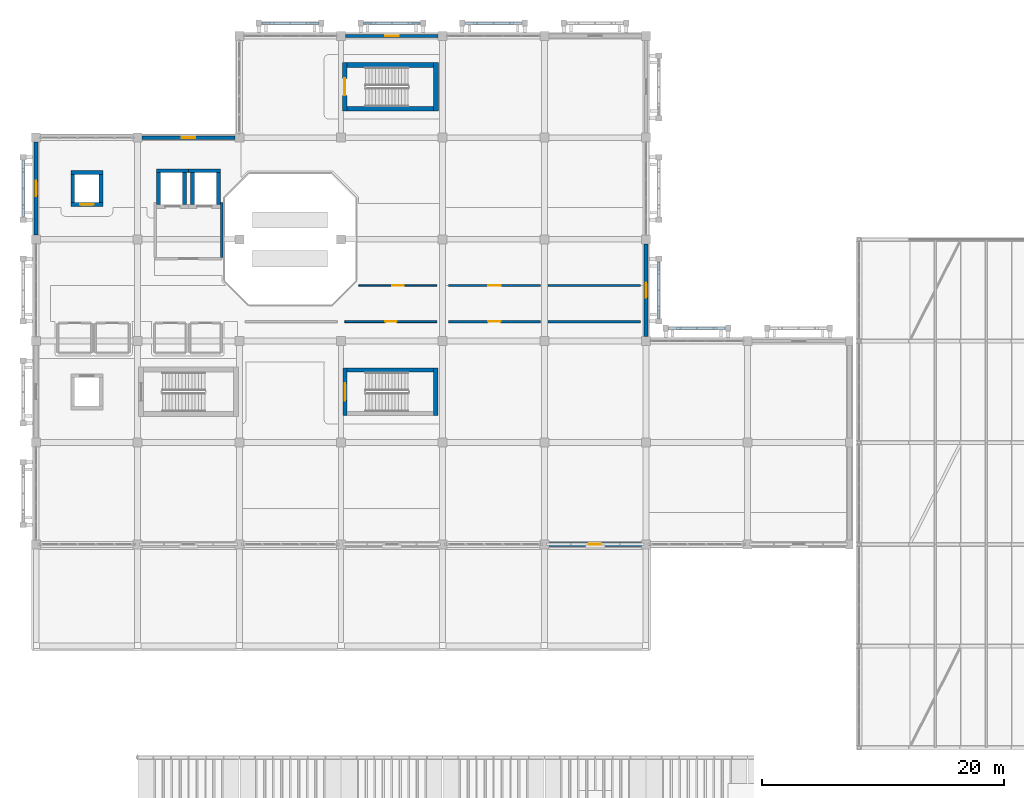
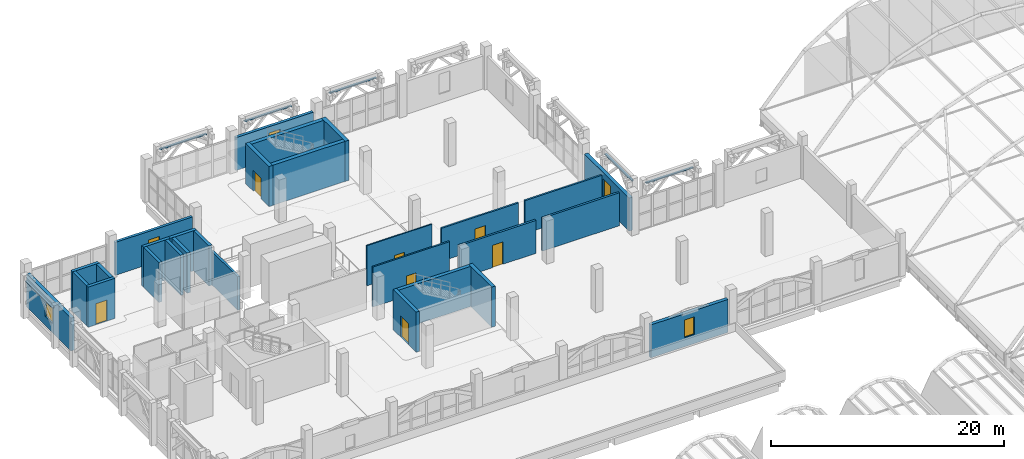
# One storey, part 104 of 114: 35 walls, 7 doors, 5 windows, 12 openings.
"""IFC4 building model written with IfcOpenShell, lengths in metres."""

from ifc_helpers import new_model, si_unit, direction, frame, frame_2d, origin, place, context, subcontext, project, spatial, rectangle, extrude, material, layer, layer_set, type_object, element, fill, save


model = new_model("IFC4")

# Units and contexts
model_context = context("Model", 3, precision=1e-05, world=origin(), true_north=direction((0.0, 1.0)))
body_context = subcontext(model_context, "Body", "Model", "MODEL_VIEW")
ifc_project = project(units=[si_unit("LENGTHUNIT", "METRE"), si_unit("AREAUNIT", "SQUARE_METRE"), si_unit("VOLUMEUNIT", "CUBIC_METRE"), si_unit("PLANEANGLEUNIT", "RADIAN"), si_unit("MASSUNIT", "GRAM", prefix="KILO")], contexts=[model_context])

# Site, building, storey
site_placement = place(None, origin())
site = spatial("IfcSite", under=ifc_project, at=site_placement, CompositionType="ELEMENT")
building_placement = place(site_placement, origin())
building = spatial("IfcBuilding", under=site, at=building_placement, Name="Xazarin Passage Department Store", CompositionType="ELEMENT")
storey_placement = place(building_placement, frame((0.0, 0.0, 14.39990234375)))
storey = spatial("IfcBuildingStorey", under=building, at=storey_placement, Name="L03", CompositionType="ELEMENT", Elevation=14.39990234375)

# Wall, opening, door
ifc_material_1 = material(Name="Buff Baku clay brick", Category="masonry")
ifc_layer_1 = layer(ifc_material_1, 0.169921875)
ifc_layer_set_1 = layer_set([ifc_layer_1], Name="Buff Baku clay brick")
wall_type_1 = type_object("IfcWallType", Name="ARC-W-CMP170", PredefinedType="PARTITIONING", material=ifc_layer_set_1)
wall_1_placement = place(storey_placement, frame((34.070068359375, 89.39990234375, 0.0), z_axis=(0.0, 0.0, 1.0), x_axis=(1.0, 0.0, 0.0)))
wall_1 = element("IfcWall", 1, at=wall_1_placement, inside=storey, type_object=wall_type_1, Name="L03 Children Department Front Wall 0216", PredefinedType="PARTITIONING", context=body_context, shape_type="SweptSolid", body=[
    extrude(rectangle(XDim=7.60986328125, YDim=0.169921875, at=frame_2d((3.804931640625, 0.0))), origin(), (0.0, 0.0, 1.0), 3.4501953125),
])
opening_1_placement = place(wall_1_placement, frame((3.284912109375, 0.0, 0.0)))
opening_1 = element("IfcOpeningElement", 2, at=opening_1_placement, cuts=wall_1, Name="Opening ID16", PredefinedType="OPENING", context=body_context, shape_type="SweptSolid", body=[
    extrude(rectangle(XDim=1.0400390625, YDim=2.219970703125, at=frame_2d((0.52001953125, 1.10986328125))), frame((0.0, 0.094970703125, 0.0), z_axis=(0.0, -1.0, 0.0), x_axis=(1.0, 0.0, 0.0)), (0.0, 0.0, 1.0), 0.18994140625),
])
ifc_material_2 = material(Name="Timber acoustic leaf", Category="wood")
door_type_1 = type_object("IfcDoorType", Name="ARC-DR-ID16", OperationType="NOTDEFINED", PredefinedType="DOOR", material=ifc_material_2)
door_1_placement = place(opening_1_placement, origin())
door_1 = element("IfcDoor", 3, at=door_1_placement, inside=storey, type_object=door_type_1, Name="DR-INT-L03-0216", OperationType="SINGLE_SWING_LEFT", OverallHeight=2.219970703125, OverallWidth=1.0400390625, PredefinedType="DOOR", context=body_context, shape_type="SweptSolid", body=[
    extrude(rectangle(XDim=1.0400390625, YDim=2.219970703125, at=frame_2d((0.52001953125, 1.10986328125))), frame((0.0, 0.02490234375, 0.0), z_axis=(0.0, -1.0, 0.0), x_axis=(1.0, 0.0, 0.0)), (0.0, 0.0, 1.0), 0.050048828125),
])
fill(opening_1, door_1)

# Wall
wall_2_placement = place(storey_placement, frame((42.320068359375, 89.39990234375, 0.0), z_axis=(0.0, 0.0, 1.0), x_axis=(1.0, 0.0, 0.0)))
element("IfcWall", 4, at=wall_2_placement, inside=storey, type_object=wall_type_1, Name="L03 Children Department Front Wall 0217", PredefinedType="PARTITIONING", context=body_context, shape_type="SweptSolid", body=[
    extrude(rectangle(XDim=7.60986328125, YDim=0.169921875, at=frame_2d((3.804931640625, 0.0))), origin(), (0.0, 0.0, 1.0), 3.4501953125),
])

# Wall, opening, window
ifc_material_3 = material(Name="Precast concrete C40/50", Category="concrete")
ifc_layer_2 = layer(ifc_material_3, 0.260009765625)
ifc_layer_set_2 = layer_set([ifc_layer_2], Name="Precast concrete C40/50")
wall_type_2 = type_object("IfcWallType", Name="ARC-W-EXT260", PredefinedType="SOLIDWALL", material=ifc_layer_set_2)
wall_3_placement = place(storey_placement, frame((8.77490234375, 101.60009765625, 0.0), z_axis=(0.0, 0.0, 1.0), x_axis=(1.0, 0.0, 0.0)))
wall_3 = element("IfcWall", 5, at=wall_3_placement, inside=storey, type_object=wall_type_2, Name="L03 V1 Exterior Wall 040", PredefinedType="SOLIDWALL", context=body_context, shape_type="SweptSolid", body=[
    extrude(rectangle(XDim=7.650146484375, YDim=0.260009765625, at=frame_2d((3.8251953125, 0.0))), origin(), (0.0, 0.0, 1.0), 3.4501953125),
])
opening_2_placement = place(wall_3_placement, frame((3.27490234375, 0.0, 0.949951171875)))
opening_2 = element("IfcOpeningElement", 6, at=opening_2_placement, cuts=wall_3, Name="Opening W06", PredefinedType="OPENING", context=body_context, shape_type="SweptSolid", body=[
    extrude(rectangle(XDim=1.10009765625, YDim=1.60009765625, at=frame_2d((0.550048828125, 0.800048828125))), frame((0.0, 0.139892578125, 0.0), z_axis=(0.0, -1.0, 0.0), x_axis=(1.0, 0.0, 0.0)), (0.0, 0.0, 1.0), 0.280029296875),
])
ifc_material_4 = material(Name="Low-E laminated safety glass", Category="glass")
window_type_1 = type_object("IfcWindowType", Name="ARC-WIN-W06", PartitioningType="SINGLE_PANEL", PredefinedType="WINDOW", material=ifc_material_4)
window_1_placement = place(opening_2_placement, origin())
window_1 = element("IfcWindow", 7, at=window_1_placement, inside=storey, type_object=window_type_1, Name="L03 V1 Facade Window 0006", OverallHeight=1.60009765625, OverallWidth=1.10009765625, PartitioningType="SINGLE_PANEL", PredefinedType="WINDOW", context=body_context, shape_type="SweptSolid", body=[
    extrude(rectangle(XDim=1.10009765625, YDim=1.60009765625, at=frame_2d((0.550048828125, 0.800048828125))), frame((0.0, 0.030029296875, 0.0), z_axis=(0.0, -1.0, 0.0), x_axis=(1.0, 0.0, 0.0)), (0.0, 0.0, 1.0), 0.06005859375),
])
fill(opening_2, window_1)

ifc_layer_3 = layer(ifc_material_3, 0.280029296875)
ifc_layer_set_3 = layer_set([ifc_layer_3], Name="Precast concrete C40/50")
wall_type_3 = type_object("IfcWallType", Name="ARC-W-EXT280", PredefinedType="SOLIDWALL", material=ifc_layer_set_3)
wall_4_placement = place(storey_placement, frame((25.574951171875, 110.0, 0.0), z_axis=(0.0, 0.0, 1.0), x_axis=(1.0, 0.0, 0.0)))
wall_4 = element("IfcWall", 8, at=wall_4_placement, inside=storey, type_object=wall_type_3, Name="L03 V1 Exterior Wall 041", PredefinedType="SOLIDWALL", context=body_context, shape_type="SweptSolid", body=[
    extrude(rectangle(XDim=7.650146484375, YDim=0.280029296875, at=frame_2d((3.8251953125, 0.0))), origin(), (0.0, 0.0, 1.0), 3.4501953125),
])
opening_3_placement = place(wall_4_placement, frame((3.27490234375, 0.0, 0.949951171875)))
opening_3 = element("IfcOpeningElement", 9, at=opening_3_placement, cuts=wall_4, Name="Opening W07", PredefinedType="OPENING", context=body_context, shape_type="SweptSolid", body=[
    extrude(rectangle(XDim=1.10009765625, YDim=1.85009765625, at=frame_2d((0.550048828125, 0.925048828125))), frame((0.0, 0.14990234375, 0.0), z_axis=(0.0, -1.0, 0.0), x_axis=(1.0, 0.0, 0.0)), (0.0, 0.0, 1.0), 0.300048828125),
])
window_type_2 = type_object("IfcWindowType", Name="ARC-WIN-W07", PartitioningType="SINGLE_PANEL", PredefinedType="WINDOW", material=ifc_material_4)
window_2_placement = place(opening_3_placement, origin())
window_2 = element("IfcWindow", 10, at=window_2_placement, inside=storey, type_object=window_type_2, Name="L03 V1 Facade Window 0007", OverallHeight=1.85009765625, OverallWidth=1.10009765625, PartitioningType="SINGLE_PANEL", PredefinedType="WINDOW", context=body_context, shape_type="SweptSolid", body=[
    extrude(rectangle(XDim=1.10009765625, YDim=1.85009765625, at=frame_2d((0.550048828125, 0.925048828125))), frame((0.0, 0.030029296875, 0.0), z_axis=(0.0, -1.0, 0.0), x_axis=(1.0, 0.0, 0.0)), (0.0, 0.0, 1.0), 0.06005859375),
])
fill(opening_3, window_2)

ifc_material_5 = material(Name="Absheron limestone cladding", Category="masonry")
ifc_layer_4 = layer(ifc_material_5, 0.340087890625)
ifc_layer_set_4 = layer_set([ifc_layer_4], Name="Absheron limestone cladding")
wall_type_4 = type_object("IfcWallType", Name="ARC-W-EXT340", PredefinedType="SOLIDWALL", material=ifc_layer_set_4)
wall_5_placement = place(storey_placement, frame((42.375, 68.0, 0.0), z_axis=(0.0, 0.0, 1.0), x_axis=(1.0, 0.0, 0.0)))
wall_5 = element("IfcWall", 11, at=wall_5_placement, inside=storey, type_object=wall_type_4, Name="L03 V1 Exterior Wall 037", PredefinedType="SOLIDWALL", context=body_context, shape_type="SweptSolid", body=[
    extrude(rectangle(XDim=7.64990234375, YDim=0.340087890625, at=frame_2d((3.824951171875, 0.0))), origin(), (0.0, 0.0, 1.0), 3.4501953125),
])
opening_4_placement = place(wall_5_placement, frame((3.35009765625, 0.0, 0.949951171875)))
opening_4 = element("IfcOpeningElement", 12, at=opening_4_placement, cuts=wall_5, Name="Opening W03", PredefinedType="OPENING", context=body_context, shape_type="SweptSolid", body=[
    extrude(rectangle(XDim=0.949951171875, YDim=1.85009765625, at=frame_2d((0.47509765625, 0.925048828125))), frame((0.0, 0.179931640625, 0.0), z_axis=(0.0, -1.0, 0.0), x_axis=(1.0, 0.0, 0.0)), (0.0, 0.0, 1.0), 0.360107421875),
])
window_type_3 = type_object("IfcWindowType", Name="ARC-WIN-W03", PartitioningType="SINGLE_PANEL", PredefinedType="WINDOW", material=ifc_material_4)
window_3_placement = place(opening_4_placement, origin())
window_3 = element("IfcWindow", 13, at=window_3_placement, inside=storey, type_object=window_type_3, Name="L03 V1 Facade Window 0003", OverallHeight=1.85009765625, OverallWidth=0.949951171875, PartitioningType="SINGLE_PANEL", PredefinedType="WINDOW", context=body_context, shape_type="SweptSolid", body=[
    extrude(rectangle(XDim=0.949951171875, YDim=1.85009765625, at=frame_2d((0.47509765625, 0.925048828125))), frame((0.0, 0.030029296875, 0.0), z_axis=(0.0, -1.0, 0.0), x_axis=(1.0, 0.0, 0.0)), (0.0, 0.0, 1.0), 0.06005859375),
])
fill(opening_4, window_3)

wall_6_placement = place(storey_placement, frame((0.0, 93.574951171875, 0.0), z_axis=(0.0, 0.0, 1.0), x_axis=(0.0, 1.0, 0.0)))
wall_6 = element("IfcWall", 14, at=wall_6_placement, inside=storey, type_object=wall_type_4, Name="L03 V1 Exterior Wall 044", PredefinedType="SOLIDWALL", context=body_context, shape_type="SweptSolid", body=[
    extrude(rectangle(XDim=7.650146484375, YDim=0.340087890625, at=frame_2d((3.8251953125, 0.0))), origin(), (0.0, 0.0, 1.0), 3.4501953125),
])
opening_5_placement = place(wall_6_placement, frame((3.199951171875, 0.0, 0.949951171875)))
opening_5 = element("IfcOpeningElement", 15, at=opening_5_placement, cuts=wall_6, Name="Opening W10", PredefinedType="OPENING", context=body_context, shape_type="SweptSolid", body=[
    extrude(rectangle(XDim=1.25, YDim=1.60009765625, at=frame_2d((0.625, 0.800048828125))), frame((0.0, 0.179931640625, 0.0), z_axis=(0.0, -1.0, 0.0), x_axis=(1.0, 0.0, 0.0)), (0.0, 0.0, 1.0), 0.360107421875),
])
window_type_4 = type_object("IfcWindowType", Name="ARC-WIN-W10", PartitioningType="SINGLE_PANEL", PredefinedType="WINDOW", material=ifc_material_4)
window_4_placement = place(opening_5_placement, origin())
window_4 = element("IfcWindow", 16, at=window_4_placement, inside=storey, type_object=window_type_4, Name="L03 V1 Facade Window 0010", OverallHeight=1.60009765625, OverallWidth=1.25, PartitioningType="SINGLE_PANEL", PredefinedType="WINDOW", context=body_context, shape_type="SweptSolid", body=[
    extrude(rectangle(XDim=1.25, YDim=1.60009765625, at=frame_2d((0.625, 0.800048828125))), frame((0.0, 0.030029296875, 0.0), z_axis=(0.0, -1.0, 0.0), x_axis=(1.0, 0.0, 0.0)), (0.0, 0.0, 1.0), 0.06005859375),
])
fill(opening_5, window_4)

ifc_layer_5 = layer(ifc_material_5, 0.360107421875)
ifc_layer_set_5 = layer_set([ifc_layer_5], Name="Absheron limestone cladding")
wall_type_5 = type_object("IfcWallType", Name="ARC-W-EXT360", PredefinedType="SOLIDWALL", material=ifc_layer_set_5)
wall_7_placement = place(storey_placement, frame((50.39990234375, 85.175048828125, 0.0), z_axis=(0.0, 0.0, 1.0), x_axis=(0.0, 1.0, 0.0)))
wall_7 = element("IfcWall", 17, at=wall_7_placement, inside=storey, type_object=wall_type_5, Name="L03 V1 Exterior Wall 045", PredefinedType="SOLIDWALL", context=body_context, shape_type="SweptSolid", body=[
    extrude(rectangle(XDim=7.64990234375, YDim=0.360107421875, at=frame_2d((3.824951171875, 0.0))), origin(), (0.0, 0.0, 1.0), 3.4501953125),
])
opening_6_placement = place(wall_7_placement, frame((3.199951171875, 0.0, 0.949951171875)))
opening_6 = element("IfcOpeningElement", 18, at=opening_6_placement, cuts=wall_7, Name="Opening W11", PredefinedType="OPENING", context=body_context, shape_type="SweptSolid", body=[
    extrude(rectangle(XDim=1.25, YDim=1.85009765625, at=frame_2d((0.625, 0.925048828125))), frame((0.0, 0.18994140625, 0.0), z_axis=(0.0, -1.0, 0.0), x_axis=(1.0, 0.0, 0.0)), (0.0, 0.0, 1.0), 0.380126953125),
])
window_type_5 = type_object("IfcWindowType", Name="ARC-WIN-W11", PartitioningType="SINGLE_PANEL", PredefinedType="WINDOW", material=ifc_material_4)
window_5_placement = place(opening_6_placement, origin())
window_5 = element("IfcWindow", 19, at=window_5_placement, inside=storey, type_object=window_type_5, Name="L03 V1 Facade Window 0011", OverallHeight=1.85009765625, OverallWidth=1.25, PartitioningType="SINGLE_PANEL", PredefinedType="WINDOW", context=body_context, shape_type="SweptSolid", body=[
    extrude(rectangle(XDim=1.25, YDim=1.85009765625, at=frame_2d((0.625, 0.925048828125))), frame((0.0, 0.030029296875, 0.0), z_axis=(0.0, -1.0, 0.0), x_axis=(1.0, 0.0, 0.0)), (0.0, 0.0, 1.0), 0.06005859375),
])
fill(opening_6, window_5)

# Wall, opening, door
ifc_layer_6 = layer(ifc_material_1, 0.205078125)
ifc_layer_set_6 = layer_set([ifc_layer_6], Name="Buff Baku clay brick")
wall_type_6 = type_object("IfcWallType", Name="ARC-W-FIR205", PredefinedType="PARTITIONING", material=ifc_layer_set_6)
wall_8_placement = place(storey_placement, frame((34.070068359375, 86.39990234375, 0.0), z_axis=(0.0, 0.0, 1.0), x_axis=(1.0, 0.0, 0.0)))
wall_8 = element("IfcWall", 20, at=wall_8_placement, inside=storey, type_object=wall_type_6, Name="L03 Children Department Front Wall 0218", PredefinedType="PARTITIONING", context=body_context, shape_type="SweptSolid", body=[
    extrude(rectangle(XDim=7.60986328125, YDim=0.205078125, at=frame_2d((3.804931640625, 0.0))), origin(), (0.0, 0.0, 1.0), 3.4501953125),
])
opening_7_placement = place(wall_8_placement, frame((3.284912109375, 0.0, 0.0)))
opening_7 = element("IfcOpeningElement", 21, at=opening_7_placement, cuts=wall_8, Name="Opening ID17", PredefinedType="OPENING", context=body_context, shape_type="SweptSolid", body=[
    extrude(rectangle(XDim=1.0400390625, YDim=2.340087890625, at=frame_2d((0.52001953125, 1.169921875))), frame((0.0, 0.112548828125, 0.0), z_axis=(0.0, -1.0, 0.0), x_axis=(1.0, 0.0, 0.0)), (0.0, 0.0, 1.0), 0.22509765625),
])
door_type_2 = type_object("IfcDoorType", Name="ARC-DR-ID17", OperationType="NOTDEFINED", PredefinedType="DOOR", material=ifc_material_2)
door_2_placement = place(opening_7_placement, origin())
door_2 = element("IfcDoor", 22, at=door_2_placement, inside=storey, type_object=door_type_2, Name="DR-INT-L03-0218", OperationType="SINGLE_SWING_RIGHT", OverallHeight=2.340087890625, OverallWidth=1.0400390625, PredefinedType="DOOR", context=body_context, shape_type="SweptSolid", body=[
    extrude(rectangle(XDim=1.0400390625, YDim=2.340087890625, at=frame_2d((0.52001953125, 1.169921875))), frame((0.0, 0.02490234375, 0.0), z_axis=(0.0, -1.0, 0.0), x_axis=(1.0, 0.0, 0.0)), (0.0, 0.0, 1.0), 0.050048828125),
])
fill(opening_7, door_2)

# Walls
wall_9_placement = place(storey_placement, frame((42.320068359375, 86.39990234375, 0.0), z_axis=(0.0, 0.0, 1.0), x_axis=(1.0, 0.0, 0.0)))
element("IfcWall", 23, at=wall_9_placement, inside=storey, type_object=wall_type_6, Name="L03 Children Department Front Wall 0219", PredefinedType="PARTITIONING", context=body_context, shape_type="SweptSolid", body=[
    extrude(rectangle(XDim=7.60986328125, YDim=0.205078125, at=frame_2d((3.804931640625, 0.0))), origin(), (0.0, 0.0, 1.0), 3.4501953125),
])
ifc_material_6 = material(Name="Concrete C35/45", Category="concrete")
ifc_layer_7 = layer(ifc_material_6, 0.22509765625)
ifc_layer_set_7 = layer_set([ifc_layer_7], Name="Concrete C35/45")
wall_type_7 = type_object("IfcWallType", Name="ARC-W-FIR225", PredefinedType="PARTITIONING", material=ifc_layer_set_7)
wall_10_placement = place(storey_placement, frame((15.35009765625, 91.7099609375, 0.0), z_axis=(0.0, 0.0, 1.0), x_axis=(0.0, 1.0, 0.0)))
element("IfcWall", 24, at=wall_10_placement, inside=storey, type_object=wall_type_7, Name="L03 Firefighting Lift Lobby East Wall 0015", PredefinedType="PARTITIONING", context=body_context, shape_type="SweptSolid", body=[
    extrude(rectangle(XDim=4.530029296875, YDim=0.22509765625, at=frame_2d((2.26513671875, 0.0))), origin(), (0.0, 0.0, 1.0), 3.5),
])
ifc_layer_8 = layer(ifc_material_3, 0.18994140625)
ifc_layer_set_8 = layer_set([ifc_layer_8], Name="Precast concrete C40/50")
wall_type_8 = type_object("IfcWallType", Name="ARC-W-PAR190", PredefinedType="PARAPET", material=ifc_layer_set_8)
wall_11_placement = place(storey_placement, frame((18.669921875, 111.050048828125, 3.880126953125), z_axis=(0.0, 0.0, 1.0), x_axis=(1.0, 0.0, 0.0)))
element("IfcWall", 25, at=wall_11_placement, inside=storey, type_object=wall_type_8, Name="L03 V1 Pierced-Arch Spandrel Lintel 0004", PredefinedType="PARAPET", context=body_context, shape_type="SweptSolid", body=[
    extrude(rectangle(XDim=4.66015625, YDim=0.18994140625, at=frame_2d((2.330078125, 0.0))), origin(), (0.0, 0.0, 1.0), 0.119873046875),
])
for number, where, z_axis, x_axis, name in (
    (26, (27.070068359375, 111.050048828125, 3.880126953125), (0.0, 0.0, 1.0), (1.0, 0.0, 0.0), "L03 V1 Pierced-Arch Spandrel Lintel 0012"),
    (27, (35.469970703125, 111.050048828125, 3.880126953125), (0.0, 0.0, 1.0), (1.0, 0.0, 0.0), "L03 V1 Pierced-Arch Spandrel Lintel 0020"),
    (28, (52.27001953125, 85.85009765625, 3.880126953125), (0.0, 0.0, 1.0), (1.0, 0.0, 0.0), "L03 V1 Pierced-Arch Spandrel Lintel 0030"),
    (29, (-1.050048828125, 95.070068359375, 3.880126953125), (0.0, 0.0, 1.0), (0.0, 1.0, 0.0), "L03 V1 Pierced-Arch Spandrel Lintel 0066"),
):
    element("IfcWall", number, at=place(storey_placement, frame(where, z_axis=z_axis, x_axis=x_axis)), inside=storey, type_object=wall_type_8, Name=name, PredefinedType="PARAPET", context=body_context, shape_type="SweptSolid", body=[
        extrude(rectangle(XDim=4.659912109375, YDim=0.18994140625, at=frame_2d((2.330078125, 0.0))), origin(), (0.0, 0.0, 1.0), 0.119873046875),
    ])
wall_12_placement = place(storey_placement, frame((51.449951171875, 86.669921875, 3.880126953125), z_axis=(0.0, 0.0, 1.0), x_axis=(0.0, 1.0, 0.0)))
element("IfcWall", 30, at=wall_12_placement, inside=storey, type_object=wall_type_8, Name="L03 V1 Pierced-Arch Spandrel Lintel 0074", PredefinedType="PARAPET", context=body_context, shape_type="SweptSolid", body=[
    extrude(rectangle(XDim=4.66015625, YDim=0.18994140625, at=frame_2d((2.330078125, 0.0))), origin(), (0.0, 0.0, 1.0), 0.119873046875),
])

# Wall, opening, door
ifc_material_7 = material(Name="Gypsum board acoustic partition")
ifc_layer_9 = layer(ifc_material_7, 0.125)
ifc_layer_set_9 = layer_set([ifc_layer_9], Name="Gypsum board acoustic partition")
wall_type_9 = type_object("IfcWallType", Name="ARC-W-PRT125", PredefinedType="PARTITIONING", material=ifc_layer_set_9)
wall_13_placement = place(storey_placement, frame((26.673583984375, 89.39990234375, 0.0), z_axis=(0.0, 0.0, 1.0), x_axis=(1.0, 0.0, 0.0)))
wall_13 = element("IfcWall", 31, at=wall_13_placement, inside=storey, type_object=wall_type_9, Name="L03 Nursery and Toy Emporium Front Wall 0215", PredefinedType="PARTITIONING", context=body_context, shape_type="SweptSolid", body=[
    extrude(rectangle(XDim=6.456298828125, YDim=0.125, at=frame_2d((3.22802734375, 0.0))), origin(), (0.0, 0.0, 1.0), 4.2001953125),
])
opening_8_placement = place(wall_13_placement, frame((2.748291015625, 0.0, 0.0)))
opening_8 = element("IfcOpeningElement", 32, at=opening_8_placement, cuts=wall_13, Name="Opening ID12", PredefinedType="OPENING", context=body_context, shape_type="SweptSolid", body=[
    extrude(rectangle(XDim=0.9599609375, YDim=2.219970703125, at=frame_2d((0.47998046875, 1.10986328125))), frame((0.0, 0.072509765625, 0.0), z_axis=(0.0, -1.0, 0.0), x_axis=(1.0, 0.0, 0.0)), (0.0, 0.0, 1.0), 0.14501953125),
])
door_type_3 = type_object("IfcDoorType", Name="ARC-DR-ID12", OperationType="NOTDEFINED", PredefinedType="DOOR", material=ifc_material_2)
door_3_placement = place(opening_8_placement, origin())
door_3 = element("IfcDoor", 33, at=door_3_placement, inside=storey, type_object=door_type_3, Name="DR-INT-L03-0215", OperationType="SINGLE_SWING_RIGHT", OverallHeight=2.219970703125, OverallWidth=0.9599609375, PredefinedType="DOOR", context=body_context, shape_type="SweptSolid", body=[
    extrude(rectangle(XDim=0.9599609375, YDim=2.219970703125, at=frame_2d((0.47998046875, 1.10986328125))), frame((0.0, 0.02490234375, 0.0), z_axis=(0.0, -1.0, 0.0), x_axis=(1.0, 0.0, 0.0)), (0.0, 0.0, 1.0), 0.050048828125),
])
fill(opening_8, door_3)

ifc_layer_10 = layer(ifc_material_7, 0.155029296875)
ifc_layer_set_10 = layer_set([ifc_layer_10], Name="Gypsum board acoustic partition")
wall_type_10 = type_object("IfcWallType", Name="ARC-W-PRT155", PredefinedType="PARTITIONING", material=ifc_layer_set_10)
wall_14_placement = place(storey_placement, frame((25.52001953125, 86.39990234375, 0.0), z_axis=(0.0, 0.0, 1.0), x_axis=(1.0, 0.0, 0.0)))
wall_14 = element("IfcWall", 34, at=wall_14_placement, inside=storey, type_object=wall_type_10, Name="L03 Nursery and Toy Emporium Front Wall 0214", PredefinedType="PARTITIONING", context=body_context, shape_type="SweptSolid", body=[
    extrude(rectangle(XDim=7.60986328125, YDim=0.155029296875, at=frame_2d((3.804931640625, 0.0))), origin(), (0.0, 0.0, 1.0), 4.2001953125),
])
opening_9_placement = place(wall_14_placement, frame((3.324951171875, 0.0, 0.0)))
opening_9 = element("IfcOpeningElement", 35, at=opening_9_placement, cuts=wall_14, Name="Opening ID11", PredefinedType="OPENING", context=body_context, shape_type="SweptSolid", body=[
    extrude(rectangle(XDim=0.9599609375, YDim=2.10009765625, at=frame_2d((0.47998046875, 1.050048828125))), frame((0.0, 0.08740234375, 0.0), z_axis=(0.0, -1.0, 0.0), x_axis=(1.0, 0.0, 0.0)), (0.0, 0.0, 1.0), 0.175048828125),
])
door_type_4 = type_object("IfcDoorType", Name="ARC-DR-ID11", OperationType="NOTDEFINED", PredefinedType="DOOR", material=ifc_material_2)
door_4_placement = place(opening_9_placement, origin())
door_4 = element("IfcDoor", 36, at=door_4_placement, inside=storey, type_object=door_type_4, Name="DR-INT-L03-0214", OperationType="SINGLE_SWING_LEFT", OverallHeight=2.10009765625, OverallWidth=0.9599609375, PredefinedType="DOOR", context=body_context, shape_type="SweptSolid", body=[
    extrude(rectangle(XDim=0.9599609375, YDim=2.10009765625, at=frame_2d((0.47998046875, 1.050048828125))), frame((0.0, 0.02490234375, 0.0), z_axis=(0.0, -1.0, 0.0), x_axis=(1.0, 0.0, 0.0)), (0.0, 0.0, 1.0), 0.050048828125),
])
fill(opening_9, door_4)

# Walls
ifc_material_8 = material(Name="Concrete C40/50", Category="concrete")
ifc_layer_11 = layer(ifc_material_8, 0.31005859375)
ifc_layer_set_11 = layer_set([ifc_layer_11], Name="Concrete C40/50")
wall_type_11 = type_object("IfcWallType", Name="STR-W-LFT310", PredefinedType="SHEAR", material=ifc_layer_set_11)
wall_15_placement = place(storey_placement, frame((9.969970703125, 98.875, 0.0), z_axis=(0.0, 0.0, 1.0), x_axis=(1.0, 0.0, 0.0)))
element("IfcWall", 37, at=wall_15_placement, inside=storey, type_object=wall_type_11, Name="L03 Lift FL1 Shaft Wall North", PredefinedType="SHEAR", context=body_context, shape_type="SweptSolid", body=[
    extrude(rectangle(XDim=2.630126953125, YDim=0.31005859375, at=frame_2d((1.31494140625, 0.0))), origin(), (0.0, 0.0, 1.0), 4.2001953125),
])
for number, where, z_axis, x_axis, name in (
    (38, (10.125, 96.080078125, 0.0), (0.0, 0.0, 1.0), (0.0, 1.0, 0.0), "L03 Lift FL1 Shaft Wall West"),
    (39, (12.27490234375, 96.080078125, 0.0), (0.0, 0.0, 1.0), (0.0, 1.0, 0.0), "L03 Lift FL1 Shaft Wall East"),
):
    element("IfcWall", number, at=place(storey_placement, frame(where, z_axis=z_axis, x_axis=x_axis)), inside=storey, type_object=wall_type_11, Name=name, PredefinedType="SHEAR", context=body_context, shape_type="SweptSolid", body=[
        extrude(rectangle(XDim=2.639892578125, YDim=0.31005859375, at=frame_2d((1.31982421875, 0.0))), origin(), (0.0, 0.0, 1.0), 4.2001953125),
    ])
wall_16_placement = place(storey_placement, frame((12.60009765625, 98.875, 0.0), z_axis=(0.0, 0.0, 1.0), x_axis=(1.0, 0.0, 0.0)))
element("IfcWall", 40, at=wall_16_placement, inside=storey, type_object=wall_type_11, Name="L03 Lift FL2 Shaft Wall North", PredefinedType="SHEAR", context=body_context, shape_type="SweptSolid", body=[
    extrude(rectangle(XDim=2.6298828125, YDim=0.31005859375, at=frame_2d((1.31494140625, 0.0))), origin(), (0.0, 0.0, 1.0), 4.2001953125),
])
for number, where, z_axis, x_axis, name in (
    (41, (12.925048828125, 96.080078125, 0.0), (0.0, 0.0, 1.0), (0.0, 1.0, 0.0), "L03 Lift FL2 Shaft Wall West"),
    (42, (15.074951171875, 96.080078125, 0.0), (0.0, 0.0, 1.0), (0.0, 1.0, 0.0), "L03 Lift FL2 Shaft Wall East"),
):
    element("IfcWall", number, at=place(storey_placement, frame(where, z_axis=z_axis, x_axis=x_axis)), inside=storey, type_object=wall_type_11, Name=name, PredefinedType="SHEAR", context=body_context, shape_type="SweptSolid", body=[
        extrude(rectangle(XDim=2.639892578125, YDim=0.31005859375, at=frame_2d((1.31982421875, 0.0))), origin(), (0.0, 0.0, 1.0), 4.2001953125),
    ])

# Wall, opening, door
wall_17_placement = place(storey_placement, frame((2.8701171875, 96.074951171875, 0.0), z_axis=(0.0, 0.0, 1.0), x_axis=(1.0, 0.0, 0.0)))
wall_17 = element("IfcWall", 43, at=wall_17_placement, inside=storey, type_object=wall_type_11, Name="L03 Lift PL2 Shaft Wall South", PredefinedType="SHEAR", context=body_context, shape_type="SweptSolid", body=[
    extrude(rectangle(XDim=2.659912109375, YDim=0.31005859375, at=frame_2d((1.330078125, 0.0))), origin(), (0.0, 0.0, 1.0), 4.2001953125),
])
opening_10_placement = place(wall_17_placement, frame((0.780029296875, 0.0, 0.0)))
opening_10 = element("IfcOpeningElement", 44, at=opening_10_placement, cuts=wall_17, Name="Opening LD-PL2-L03", PredefinedType="OPENING", context=body_context, shape_type="SweptSolid", body=[
    extrude(rectangle(XDim=1.10009765625, YDim=2.199951171875, at=frame_2d((0.550048828125, 1.10009765625))), frame((0.0, 0.1650390625, 0.0), z_axis=(0.0, -1.0, 0.0), x_axis=(1.0, 0.0, 0.0)), (0.0, 0.0, 1.0), 0.330078125),
])
ifc_material_9 = material(Name="Steel S355", Category="steel")
door_type_5 = type_object("IfcDoorType", Name="ARC-DR-LD110", OperationType="NOTDEFINED", PredefinedType="DOOR", material=ifc_material_9)
door_5_placement = place(opening_10_placement, origin())
door_5 = element("IfcDoor", 45, at=door_5_placement, inside=storey, type_object=door_type_5, Name="DR-LD-PL2-L03", OperationType="SLIDING_TO_LEFT", OverallHeight=2.199951171875, OverallWidth=1.10009765625, PredefinedType="DOOR", context=body_context, shape_type="SweptSolid", body=[
    extrude(rectangle(XDim=1.10009765625, YDim=2.199951171875, at=frame_2d((0.550048828125, 1.10009765625))), frame((0.0, 0.02490234375, 0.0), z_axis=(0.0, -1.0, 0.0), x_axis=(1.0, 0.0, 0.0)), (0.0, 0.0, 1.0), 0.050048828125),
])
fill(opening_10, door_5)

# Walls
wall_18_placement = place(storey_placement, frame((2.8701171875, 98.72509765625, 0.0), z_axis=(0.0, 0.0, 1.0), x_axis=(1.0, 0.0, 0.0)))
element("IfcWall", 46, at=wall_18_placement, inside=storey, type_object=wall_type_11, Name="L03 Lift PL2 Shaft Wall North", PredefinedType="SHEAR", context=body_context, shape_type="SweptSolid", body=[
    extrude(rectangle(XDim=2.659912109375, YDim=0.31005859375, at=frame_2d((1.330078125, 0.0))), origin(), (0.0, 0.0, 1.0), 4.2001953125),
])
for number, where, z_axis, x_axis, name in (
    (47, (3.02490234375, 96.22998046875, 0.0), (0.0, 0.0, 1.0), (0.0, 1.0, 0.0), "L03 Lift PL2 Shaft Wall West"),
    (48, (5.375, 96.22998046875, 0.0), (0.0, 0.0, 1.0), (0.0, 1.0, 0.0), "L03 Lift PL2 Shaft Wall East"),
):
    element("IfcWall", number, at=place(storey_placement, frame(where, z_axis=z_axis, x_axis=x_axis)), inside=storey, type_object=wall_type_11, Name=name, PredefinedType="SHEAR", context=body_context, shape_type="SweptSolid", body=[
        extrude(rectangle(XDim=2.340087890625, YDim=0.31005859375, at=frame_2d((1.169921875, 0.0))), origin(), (0.0, 0.0, 1.0), 4.2001953125),
    ])

# Wall, opening, door
ifc_layer_12 = layer(ifc_material_8, 0.35009765625)
ifc_layer_set_12 = layer_set([ifc_layer_12], Name="Concrete C40/50")
wall_type_12 = type_object("IfcWallType", Name="STR-W-SHR350", PredefinedType="SHEAR", material=ifc_layer_set_12)
wall_19_placement = place(storey_placement, frame((25.52490234375, 82.570068359375, 0.0), z_axis=(0.0, 0.0, 1.0), x_axis=(0.0, -1.0, 0.0)))
wall_19 = element("IfcWall", 49, at=wall_19_placement, inside=storey, type_object=wall_type_12, Name="L03 Core K3 West Shear Wall", PredefinedType="SHEAR", context=body_context, shape_type="SweptSolid", body=[
    extrude(rectangle(XDim=3.940185546875, YDim=0.35009765625, at=frame_2d((1.97021484375, 0.0))), origin(), (0.0, 0.0, 1.0), 4.2001953125),
])
opening_11_placement = place(wall_19_placement, frame((1.2451171875, 0.0, 0.0)))
opening_11 = element("IfcOpeningElement", 50, at=opening_11_placement, cuts=wall_19, Name="Opening FD1", PredefinedType="OPENING", context=body_context, shape_type="SweptSolid", body=[
    extrude(rectangle(XDim=1.449951171875, YDim=2.199951171875, at=frame_2d((0.72509765625, 1.10009765625))), frame((0.0, 0.18505859375, 0.0), z_axis=(0.0, -1.0, 0.0), x_axis=(1.0, 0.0, 0.0)), (0.0, 0.0, 1.0), 0.3701171875),
])
door_type_6 = type_object("IfcDoorType", Name="ARC-DR-STR145", OperationType="NOTDEFINED", PredefinedType="DOOR", material=ifc_material_9)
door_6_placement = place(opening_11_placement, origin())
door_6 = element("IfcDoor", 51, at=door_6_placement, inside=storey, type_object=door_type_6, Name="DR-STR-K3-L03", OperationType="SINGLE_SWING_LEFT", OverallHeight=2.199951171875, OverallWidth=1.449951171875, PredefinedType="DOOR", context=body_context, shape_type="SweptSolid", body=[
    extrude(rectangle(XDim=1.449951171875, YDim=2.199951171875, at=frame_2d((0.72509765625, 1.10009765625))), frame((0.0, 0.02490234375, 0.0), z_axis=(0.0, -1.0, 0.0), x_axis=(1.0, 0.0, 0.0)), (0.0, 0.0, 1.0), 0.050048828125),
])
fill(opening_11, door_6)

# Walls
wall_20_placement = place(storey_placement, frame((33.02490234375, 78.6298828125, 0.0), z_axis=(0.0, 0.0, 1.0), x_axis=(0.0, 1.0, 0.0)))
element("IfcWall", 52, at=wall_20_placement, inside=storey, type_object=wall_type_12, Name="L03 Core K3 East Shear Wall", PredefinedType="SHEAR", context=body_context, shape_type="SweptSolid", body=[
    extrude(rectangle(XDim=3.940185546875, YDim=0.35009765625, at=frame_2d((1.97021484375, 0.0))), origin(), (0.0, 0.0, 1.0), 4.2001953125),
])
wall_21_placement = place(storey_placement, frame((25.699951171875, 82.39501953125, 0.0), z_axis=(0.0, 0.0, 1.0), x_axis=(1.0, 0.0, 0.0)))
element("IfcWall", 53, at=wall_21_placement, inside=storey, type_object=wall_type_12, Name="L03 Core K3 North Shear Wall", PredefinedType="SHEAR", context=body_context, shape_type="SweptSolid", body=[
    extrude(rectangle(XDim=7.150146484375, YDim=0.35009765625, at=frame_2d((3.5751953125, 0.0))), origin(), (0.0, 0.0, 1.0), 4.2001953125),
])

# Wall, opening, door
ifc_layer_13 = layer(ifc_material_8, 0.389892578125)
ifc_layer_set_13 = layer_set([ifc_layer_13], Name="Concrete C40/50")
wall_type_13 = type_object("IfcWallType", Name="STR-W-SHR390", PredefinedType="SHEAR", material=ifc_layer_set_13)
wall_22_placement = place(storey_placement, frame((25.5048828125, 107.81005859375, 0.0), z_axis=(0.0, 0.0, 1.0), x_axis=(0.0, -1.0, 0.0)))
wall_22 = element("IfcWall", 54, at=wall_22_placement, inside=storey, type_object=wall_type_13, Name="L03 Core K2 West Shear Wall", PredefinedType="SHEAR", context=body_context, shape_type="SweptSolid", body=[
    extrude(rectangle(XDim=4.02001953125, YDim=0.389892578125, at=frame_2d((2.010009765625, 0.0))), origin(), (0.0, 0.0, 1.0), 4.2001953125),
])
opening_12_placement = place(wall_22_placement, frame((1.31005859375, 0.0, 0.0)))
opening_12 = element("IfcOpeningElement", 55, at=opening_12_placement, cuts=wall_22, Name="Opening FD2", PredefinedType="OPENING", context=body_context, shape_type="SweptSolid", body=[
    extrude(rectangle(XDim=1.39990234375, YDim=2.14990234375, at=frame_2d((0.699951171875, 1.074951171875))), frame((0.0, 0.204833984375, 0.0), z_axis=(0.0, -1.0, 0.0), x_axis=(1.0, 0.0, 0.0)), (0.0, 0.0, 1.0), 0.409912109375),
])
door_type_7 = type_object("IfcDoorType", Name="ARC-DR-STR140", OperationType="NOTDEFINED", PredefinedType="DOOR", material=ifc_material_9)
door_7_placement = place(opening_12_placement, origin())
door_7 = element("IfcDoor", 56, at=door_7_placement, inside=storey, type_object=door_type_7, Name="DR-STR-K2-L03", OperationType="SINGLE_SWING_LEFT", OverallHeight=2.14990234375, OverallWidth=1.39990234375, PredefinedType="DOOR", context=body_context, shape_type="SweptSolid", body=[
    extrude(rectangle(XDim=1.39990234375, YDim=2.14990234375, at=frame_2d((0.699951171875, 1.074951171875))), frame((0.0, 0.02490234375, 0.0), z_axis=(0.0, -1.0, 0.0), x_axis=(1.0, 0.0, 0.0)), (0.0, 0.0, 1.0), 0.050048828125),
])
fill(opening_12, door_7)

# Walls
wall_23_placement = place(storey_placement, frame((33.044921875, 103.7900390625, 0.0), z_axis=(0.0, 0.0, 1.0), x_axis=(0.0, 1.0, 0.0)))
element("IfcWall", 57, at=wall_23_placement, inside=storey, type_object=wall_type_13, Name="L03 Core K2 East Shear Wall", PredefinedType="SHEAR", context=body_context, shape_type="SweptSolid", body=[
    extrude(rectangle(XDim=4.02001953125, YDim=0.389892578125, at=frame_2d((2.010009765625, 0.0))), origin(), (0.0, 0.0, 1.0), 4.2001953125),
])
for number, where, z_axis, x_axis, name in (
    (58, (25.699951171875, 103.985107421875, 0.0), (0.0, 0.0, 1.0), (1.0, 0.0, 0.0), "L03 Core K2 South Shear Wall"),
    (59, (25.699951171875, 107.614990234375, 0.0), (0.0, 0.0, 1.0), (1.0, 0.0, 0.0), "L03 Core K2 North Shear Wall"),
):
    element("IfcWall", number, at=place(storey_placement, frame(where, z_axis=z_axis, x_axis=x_axis)), inside=storey, type_object=wall_type_13, Name=name, PredefinedType="SHEAR", context=body_context, shape_type="SweptSolid", body=[
        extrude(rectangle(XDim=7.150146484375, YDim=0.389892578125, at=frame_2d((3.5751953125, 0.0))), origin(), (0.0, 0.0, 1.0), 4.2001953125),
    ])

save(model, "model.ifc")
